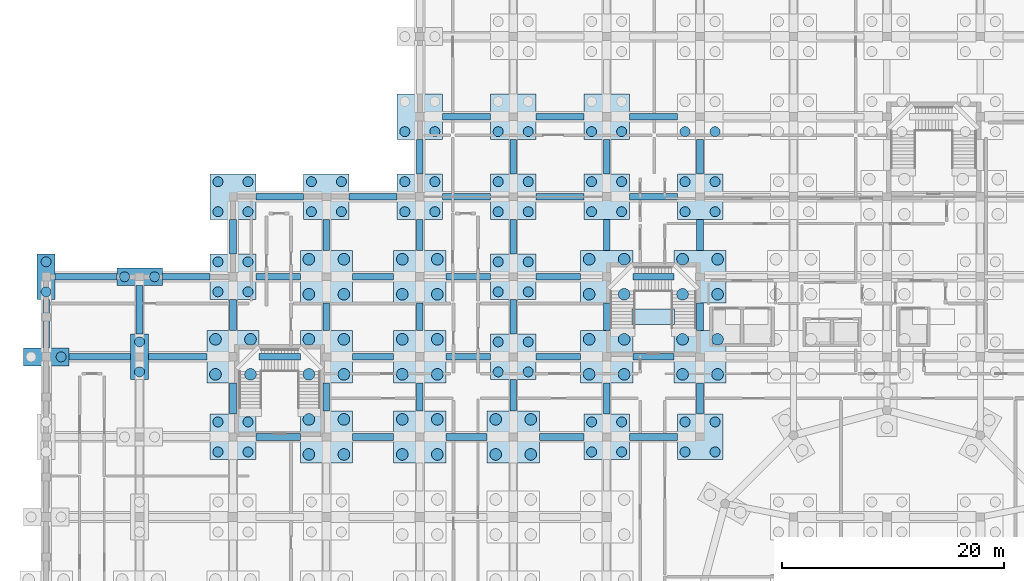
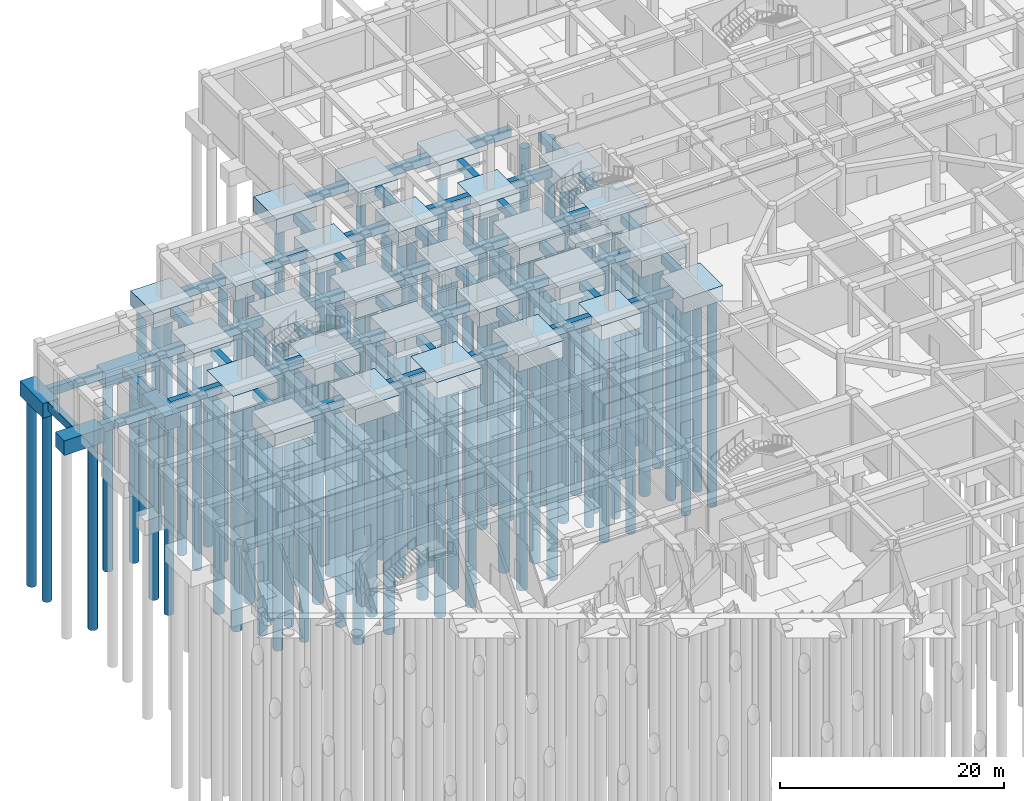
# One storey, part 5 of 32: 111 piles, 83 footings.
"""IFC4 building model written with IfcOpenShell, lengths in metres."""

from ifc_helpers import new_model, si_unit, derived_unit, direction, frame, origin, origin_2d, place, context, subcontext, project, spatial, rectangle, circle, extrude, material, material_profile, profile_set, type_object, element, save


model = new_model("IFC4")

# Units and contexts
model_context = context("Model", 3, precision=1e-05, world=origin(), true_north=direction((0.0, 1.0)))
body_context = subcontext(model_context, "Body", "Model", "MODEL_VIEW")
ifc_project = project(units=[si_unit("LENGTHUNIT", "METRE"), si_unit("AREAUNIT", "SQUARE_METRE"), si_unit("VOLUMEUNIT", "CUBIC_METRE"), si_unit("PLANEANGLEUNIT", "RADIAN"), si_unit("MASSUNIT", "GRAM", prefix="KILO"), derived_unit("THERMALTRANSMITTANCEUNIT", [(si_unit("POWERUNIT", "WATT"), 1), (si_unit("LENGTHUNIT", "METRE"), -2), (si_unit("THERMODYNAMICTEMPERATUREUNIT", "KELVIN"), -1)])], contexts=[model_context])

# Site, building, storey
site_placement = place(None, origin())
site = spatial("IfcSite", under=ifc_project, at=site_placement, CompositionType="ELEMENT")
building_placement = place(site_placement, origin())
building = spatial("IfcBuilding", under=site, at=building_placement, Name="Veybourne Emporium", CompositionType="ELEMENT")
storey_placement = place(building_placement, frame((0.0, 0.0, -5.39990234375)))
storey = spatial("IfcBuildingStorey", under=building, at=storey_placement, Name="B1", CompositionType="ELEMENT", Elevation=-5.39990234375)

# Footings
ifc_material = material(Name="Concrete C35/45", Category="concrete")
footing_type_1 = type_object("IfcFootingType", Name="GroundBeam_GB-2500", PredefinedType="FOOTING_BEAM", material=ifc_material)
for number, where, z_axis, x_axis, name in (
    (1, (25.199951171875, 68.39990234375, -0.900146484375), (0.0, 0.0, 1.0), (0.0, 1.0, 0.0), "Ground tie beam GB-2500"),
    (2, (25.199951171875, 75.60009765625, -0.900146484375), (0.0, 0.0, 1.0), (0.0, 1.0, 0.0), "Ground tie beam GB-2500"),
    (3, (33.60009765625, 68.39990234375, -0.900146484375), (0.0, 0.0, 1.0), (0.0, 1.0, 0.0), "Ground tie beam GB-2500"),
    (4, (33.60009765625, 75.60009765625, -0.900146484375), (0.0, 0.0, 1.0), (0.0, 1.0, 0.0), "Ground tie beam GB-2500"),
    (5, (50.39990234375, 75.60009765625, -0.900146484375), (0.0, 0.0, 1.0), (0.0, 1.0, 0.0), "Ground tie beam GB-2500"),
    (6, (58.800048828125, 75.60009765625, -0.900146484375), (0.0, 0.0, 1.0), (0.0, 1.0, 0.0), "Ground tie beam GB-2500"),
):
    element("IfcFooting", number, at=place(storey_placement, frame(where, z_axis=z_axis, x_axis=x_axis)), inside=storey, type_object=footing_type_1, Name=name, PredefinedType="FOOTING_BEAM", context=body_context, shape_type="SweptSolid", body=[
        extrude(rectangle(XDim=2.5, YDim=0.60009765625, at=origin_2d()), origin(), (0.0, 0.0, 1.0), 0.89990234375),
    ])
footing_type_2 = type_object("IfcFootingType", Name="GroundBeam_GB-2800", PredefinedType="FOOTING_BEAM", material=ifc_material)
for number, where, z_axis, x_axis, name in (
    (7, (16.800048828125, 68.25, -0.900146484375), (0.0, 0.0, 1.0), (0.0, 1.0, 0.0), "Ground tie beam GB-2800"),
    (8, (16.800048828125, 75.75, -0.900146484375), (0.0, 0.0, 1.0), (0.0, 1.0, 0.0), "Ground tie beam GB-2800"),
    (9, (25.199951171875, 82.949951171875, -0.900146484375), (0.0, 0.0, 1.0), (0.0, 1.0, 0.0), "Ground tie beam GB-2800"),
    (10, (33.60009765625, 82.949951171875, -0.900146484375), (0.0, 0.0, 1.0), (0.0, 1.0, 0.0), "Ground tie beam GB-2800"),
    (11, (42.0, 68.550048828125, -0.900146484375), (0.0, 0.0, 1.0), (0.0, 1.0, 0.0), "Ground tie beam GB-2800"),
    (12, (50.39990234375, 68.25, -0.900146484375), (0.0, 0.0, 1.0), (0.0, 1.0, 0.0), "Ground tie beam GB-2800"),
    (13, (50.39990234375, 82.949951171875, -0.900146484375), (0.0, 0.0, 1.0), (0.0, 1.0, 0.0), "Ground tie beam GB-2800"),
    (14, (58.800048828125, 68.25, -0.900146484375), (0.0, 0.0, 1.0), (0.0, 1.0, 0.0), "Ground tie beam GB-2800"),
    (15, (58.800048828125, 82.949951171875, -0.900146484375), (0.0, 0.0, 1.0), (0.0, 1.0, 0.0), "Ground tie beam GB-2800"),
):
    element("IfcFooting", number, at=place(storey_placement, frame(where, z_axis=z_axis, x_axis=x_axis)), inside=storey, type_object=footing_type_2, Name=name, PredefinedType="FOOTING_BEAM", context=body_context, shape_type="SweptSolid", body=[
        extrude(rectangle(XDim=2.800048828125, YDim=0.60009765625, at=origin_2d()), origin(), (0.0, 0.0, 1.0), 0.89990234375),
    ])
footing_type_3 = type_object("IfcFootingType", Name="GroundBeam_GB-3100", PredefinedType="FOOTING_BEAM", material=ifc_material)
for number, where, z_axis, x_axis, name in (
    (16, (16.800048828125, 82.800048828125, -0.900146484375), (0.0, 0.0, 1.0), (0.0, 1.0, 0.0), "Ground tie beam GB-3100"),
    (17, (33.60009765625, 90.0, -0.900146484375), (0.0, 0.0, 1.0), (0.0, 1.0, 0.0), "Ground tie beam GB-3100"),
    (18, (42.0, 75.60009765625, -0.900146484375), (0.0, 0.0, 1.0), (0.0, 1.0, 0.0), "Ground tie beam GB-3100"),
    (19, (42.0, 82.800048828125, -0.900146484375), (0.0, 0.0, 1.0), (0.0, 1.0, 0.0), "Ground tie beam GB-3100"),
    (20, (42.0, 90.0, -0.900146484375), (0.0, 0.0, 1.0), (0.0, 1.0, 0.0), "Ground tie beam GB-3100"),
    (21, (50.39990234375, 90.0, -0.900146484375), (0.0, 0.0, 1.0), (0.0, 1.0, 0.0), "Ground tie beam GB-3100"),
    (22, (58.800048828125, 90.0, -0.900146484375), (0.0, 0.0, 1.0), (0.0, 1.0, 0.0), "Ground tie beam GB-3100"),
):
    element("IfcFooting", number, at=place(storey_placement, frame(where, z_axis=z_axis, x_axis=x_axis)), inside=storey, type_object=footing_type_3, Name=name, PredefinedType="FOOTING_BEAM", context=body_context, shape_type="SweptSolid", body=[
        extrude(rectangle(XDim=3.10009765625, YDim=0.60009765625, at=origin_2d()), origin(), (0.0, 0.0, 1.0), 0.89990234375),
    ])
footing_type_4 = type_object("IfcFootingType", Name="GroundBeam_GB-3700", PredefinedType="FOOTING_BEAM", material=ifc_material)
for number, where, z_axis, x_axis, name in (
    (23, (21.0, 72.0, -0.900146484375), (0.0, 0.0, 1.0), (1.0, 0.0, 0.0), "Ground tie beam GB-3700"),
    (24, (29.39990234375, 64.800048828125, -0.900146484375), (0.0, 0.0, 1.0), (1.0, 0.0, 0.0), "Ground tie beam GB-3700"),
    (25, (29.39990234375, 72.0, -0.900146484375), (0.0, 0.0, 1.0), (1.0, 0.0, 0.0), "Ground tie beam GB-3700"),
    (26, (29.39990234375, 79.199951171875, -0.900146484375), (0.0, 0.0, 1.0), (1.0, 0.0, 0.0), "Ground tie beam GB-3700"),
    (27, (37.800048828125, 64.800048828125, -0.900146484375), (0.0, 0.0, 1.0), (1.0, 0.0, 0.0), "Ground tie beam GB-3700"),
    (28, (54.60009765625, 72.0, -0.900146484375), (0.0, 0.0, 1.0), (1.0, 0.0, 0.0), "Ground tie beam GB-3700"),
    (29, (54.60009765625, 79.199951171875, -0.900146484375), (0.0, 0.0, 1.0), (1.0, 0.0, 0.0), "Ground tie beam GB-3700"),
):
    element("IfcFooting", number, at=place(storey_placement, frame(where, z_axis=z_axis, x_axis=x_axis)), inside=storey, type_object=footing_type_4, Name=name, PredefinedType="FOOTING_BEAM", context=body_context, shape_type="SweptSolid", body=[
        extrude(rectangle(XDim=3.699951171875, YDim=0.60009765625, at=origin_2d()), origin(), (0.0, 0.0, 1.0), 0.89990234375),
    ])
footing_type_5 = type_object("IfcFootingType", Name="GroundBeam_GB-4000", PredefinedType="FOOTING_BEAM", material=ifc_material)
for number, where, z_axis, x_axis, name in (
    (30, (20.85009765625, 64.800048828125, -0.900146484375), (0.0, 0.0, 1.0), (1.0, 0.0, 0.0), "Ground tie beam GB-4000"),
    (31, (20.85009765625, 79.199951171875, -0.900146484375), (0.0, 0.0, 1.0), (1.0, 0.0, 0.0), "Ground tie beam GB-4000"),
    (32, (37.949951171875, 72.0, -0.900146484375), (0.0, 0.0, 1.0), (1.0, 0.0, 0.0), "Ground tie beam GB-4000"),
    (33, (37.949951171875, 79.199951171875, -0.900146484375), (0.0, 0.0, 1.0), (1.0, 0.0, 0.0), "Ground tie beam GB-4000"),
    (34, (46.35009765625, 64.800048828125, -0.900146484375), (0.0, 0.0, 1.0), (1.0, 0.0, 0.0), "Ground tie beam GB-4000"),
    (35, (46.050048828125, 72.0, -0.900146484375), (0.0, 0.0, 1.0), (1.0, 0.0, 0.0), "Ground tie beam GB-4000"),
    (36, (46.050048828125, 79.199951171875, -0.900146484375), (0.0, 0.0, 1.0), (1.0, 0.0, 0.0), "Ground tie beam GB-4000"),
):
    element("IfcFooting", number, at=place(storey_placement, frame(where, z_axis=z_axis, x_axis=x_axis)), inside=storey, type_object=footing_type_5, Name=name, PredefinedType="FOOTING_BEAM", context=body_context, shape_type="SweptSolid", body=[
        extrude(rectangle(XDim=4.0, YDim=0.60009765625, at=origin_2d()), origin(), (0.0, 0.0, 1.0), 0.89990234375),
    ])
footing_type_6 = type_object("IfcFootingType", Name="GroundBeam_GB-4300", PredefinedType="FOOTING_BEAM", material=ifc_material)
for number, where, z_axis, x_axis, name in (
    (37, (12.60009765625, 79.199951171875, -0.900146484375), (0.0, 0.0, 1.0), (1.0, 0.0, 0.0), "Ground tie beam GB-4300"),
    (38, (21.0, 86.39990234375, -0.900146484375), (0.0, 0.0, 1.0), (1.0, 0.0, 0.0), "Ground tie beam GB-4300"),
    (39, (29.39990234375, 86.39990234375, -0.900146484375), (0.0, 0.0, 1.0), (1.0, 0.0, 0.0), "Ground tie beam GB-4300"),
    (40, (37.800048828125, 86.39990234375, -0.900146484375), (0.0, 0.0, 1.0), (1.0, 0.0, 0.0), "Ground tie beam GB-4300"),
    (41, (37.800048828125, 93.60009765625, -0.900146484375), (0.0, 0.0, 1.0), (1.0, 0.0, 0.0), "Ground tie beam GB-4300"),
    (42, (46.199951171875, 86.39990234375, -0.900146484375), (0.0, 0.0, 1.0), (1.0, 0.0, 0.0), "Ground tie beam GB-4300"),
    (43, (46.199951171875, 93.60009765625, -0.900146484375), (0.0, 0.0, 1.0), (1.0, 0.0, 0.0), "Ground tie beam GB-4300"),
    (44, (54.60009765625, 64.800048828125, -0.900146484375), (0.0, 0.0, 1.0), (1.0, 0.0, 0.0), "Ground tie beam GB-4300"),
    (45, (54.60009765625, 86.39990234375, -0.900146484375), (0.0, 0.0, 1.0), (1.0, 0.0, 0.0), "Ground tie beam GB-4300"),
    (46, (54.60009765625, 93.60009765625, -0.900146484375), (0.0, 0.0, 1.0), (1.0, 0.0, 0.0), "Ground tie beam GB-4300"),
):
    element("IfcFooting", number, at=place(storey_placement, frame(where, z_axis=z_axis, x_axis=x_axis)), inside=storey, type_object=footing_type_6, Name=name, PredefinedType="FOOTING_BEAM", context=body_context, shape_type="SweptSolid", body=[
        extrude(rectangle(XDim=4.300048828125, YDim=0.60009765625, at=origin_2d()), origin(), (0.0, 0.0, 1.0), 0.89990234375),
    ])
footing_type_7 = type_object("IfcFootingType", Name="GroundBeam_GB-4350", PredefinedType="FOOTING_BEAM", material=ifc_material)
for number, where, z_axis, x_axis, name in (
    (47, (0.0, 74.97509765625, -0.900146484375), (0.0, 0.0, 1.0), (0.0, 1.0, 0.0), "Ground tie beam GB-4350"),
    (48, (8.39990234375, 76.22509765625, -0.900146484375), (0.0, 0.0, 1.0), (0.0, 1.0, 0.0), "Ground tie beam GB-4350"),
):
    element("IfcFooting", number, at=place(storey_placement, frame(where, z_axis=z_axis, x_axis=x_axis)), inside=storey, type_object=footing_type_7, Name=name, PredefinedType="FOOTING_BEAM", context=body_context, shape_type="SweptSolid", body=[
        extrude(rectangle(XDim=4.35009765625, YDim=0.60009765625, at=origin_2d()), origin(), (0.0, 0.0, 1.0), 0.89990234375),
    ])
footing_type_8 = type_object("IfcFootingType", Name="GroundBeam_GB-5250", PredefinedType="FOOTING_BEAM", material=ifc_material)
footing_1_placement = place(storey_placement, frame((11.824951171875, 72.0, -0.900146484375), z_axis=(0.0, 0.0, 1.0), x_axis=(1.0, 0.0, 0.0)))
element("IfcFooting", 49, at=footing_1_placement, inside=storey, type_object=footing_type_8, Name="Ground tie beam GB-5250", PredefinedType="FOOTING_BEAM", context=body_context, shape_type="SweptSolid", body=[
    extrude(rectangle(XDim=5.25, YDim=0.60009765625, at=origin_2d()), origin(), (0.0, 0.0, 1.0), 0.89990234375),
])
footing_type_9 = type_object("IfcFootingType", Name="GroundBeam_GB-5550", PredefinedType="FOOTING_BEAM", material=ifc_material)
for number, where, z_axis, x_axis, name in (
    (50, (4.824951171875, 72.0, -0.900146484375), (0.0, 0.0, 1.0), (1.0, 0.0, 0.0), "Ground tie beam GB-5550"),
    (51, (3.574951171875, 79.199951171875, -0.900146484375), (0.0, 0.0, 1.0), (1.0, 0.0, 0.0), "Ground tie beam GB-5550"),
):
    element("IfcFooting", number, at=place(storey_placement, frame(where, z_axis=z_axis, x_axis=x_axis)), inside=storey, type_object=footing_type_9, Name=name, PredefinedType="FOOTING_BEAM", context=body_context, shape_type="SweptSolid", body=[
        extrude(rectangle(XDim=5.550048828125, YDim=0.60009765625, at=origin_2d()), origin(), (0.0, 0.0, 1.0), 0.89990234375),
    ])
footing_type_10 = type_object("IfcFootingType", Name="PileCap_PC-02", PredefinedType="PILE_CAP", material=ifc_material)
for number, where, z_axis, x_axis, name in (
    (52, (0.0, 72.0, -1.60009765625), (0.0, 0.0, 1.0), (1.0, 0.0, 0.0), "Pile cap PC-02 at grid (0,10)"),
    (53, (8.39990234375, 79.199951171875, -1.60009765625), (0.0, 0.0, 1.0), (1.0, 0.0, 0.0), "Pile cap PC-02 at grid (1,11)"),
):
    element("IfcFooting", number, at=place(storey_placement, frame(where, z_axis=z_axis, x_axis=x_axis)), inside=storey, type_object=footing_type_10, Name=name, PredefinedType="PILE_CAP", context=body_context, shape_type="SweptSolid", body=[
        extrude(rectangle(XDim=4.10009765625, YDim=1.60009765625, at=origin_2d()), origin(), (0.0, 0.0, 1.0), 1.60009765625),
    ])
footing_type_11 = type_object("IfcFootingType", Name="PileCap_PC-03", PredefinedType="PILE_CAP", material=ifc_material)
for number, where, z_axis, x_axis, name in (
    (54, (0.0, 79.199951171875, -1.60009765625), (0.0, 0.0, 1.0), (1.0, 0.0, 0.0), "Pile cap PC-03 at grid (0,11)"),
    (55, (8.39990234375, 72.0, -1.60009765625), (0.0, 0.0, 1.0), (1.0, 0.0, 0.0), "Pile cap PC-03 at grid (1,10)"),
):
    element("IfcFooting", number, at=place(storey_placement, frame(where, z_axis=z_axis, x_axis=x_axis)), inside=storey, type_object=footing_type_11, Name=name, PredefinedType="PILE_CAP", context=body_context, shape_type="SweptSolid", body=[
        extrude(rectangle(XDim=1.60009765625, YDim=4.10009765625, at=origin_2d()), origin(), (0.0, 0.0, 1.0), 1.60009765625),
    ])
footing_type_12 = type_object("IfcFootingType", Name="PileCap_PC-04", PredefinedType="PILE_CAP", material=ifc_material)
for number, where, z_axis, x_axis, name in (
    (56, (16.800048828125, 64.800048828125, -1.60009765625), (0.0, 0.0, 1.0), (1.0, 0.0, 0.0), "Pile cap PC-04 at grid (2,9)"),
    (57, (16.800048828125, 79.199951171875, -1.60009765625), (0.0, 0.0, 1.0), (1.0, 0.0, 0.0), "Pile cap PC-04 at grid (2,11)"),
    (58, (16.800048828125, 86.39990234375, -1.60009765625), (0.0, 0.0, 1.0), (1.0, 0.0, 0.0), "Pile cap PC-04 at grid (2,12)"),
    (59, (25.199951171875, 86.39990234375, -1.60009765625), (0.0, 0.0, 1.0), (1.0, 0.0, 0.0), "Pile cap PC-04 at grid (3,12)"),
    (60, (33.60009765625, 86.39990234375, -1.60009765625), (0.0, 0.0, 1.0), (1.0, 0.0, 0.0), "Pile cap PC-04 at grid (4,12)"),
    (61, (33.60009765625, 93.60009765625, -1.60009765625), (0.0, 0.0, 1.0), (1.0, 0.0, 0.0), "Pile cap PC-04 at grid (4,13)"),
    (62, (42.0, 72.0, -1.60009765625), (0.0, 0.0, 1.0), (1.0, 0.0, 0.0), "Pile cap PC-04 at grid (5,10)"),
    (63, (42.0, 79.199951171875, -1.60009765625), (0.0, 0.0, 1.0), (1.0, 0.0, 0.0), "Pile cap PC-04 at grid (5,11)"),
    (64, (42.0, 86.39990234375, -1.60009765625), (0.0, 0.0, 1.0), (1.0, 0.0, 0.0), "Pile cap PC-04 at grid (5,12)"),
    (65, (42.0, 93.60009765625, -1.60009765625), (0.0, 0.0, 1.0), (1.0, 0.0, 0.0), "Pile cap PC-04 at grid (5,13)"),
    (66, (50.39990234375, 64.800048828125, -1.60009765625), (0.0, 0.0, 1.0), (1.0, 0.0, 0.0), "Pile cap PC-04 at grid (6,9)"),
    (67, (50.39990234375, 86.39990234375, -1.60009765625), (0.0, 0.0, 1.0), (1.0, 0.0, 0.0), "Pile cap PC-04 at grid (6,12)"),
    (68, (50.39990234375, 93.60009765625, -1.60009765625), (0.0, 0.0, 1.0), (1.0, 0.0, 0.0), "Pile cap PC-04 at grid (6,13)"),
    (69, (58.800048828125, 64.800048828125, -1.60009765625), (0.0, 0.0, 1.0), (1.0, 0.0, 0.0), "Pile cap PC-04 at grid (7,9)"),
    (70, (58.800048828125, 86.39990234375, -1.60009765625), (0.0, 0.0, 1.0), (1.0, 0.0, 0.0), "Pile cap PC-04 at grid (7,12)"),
):
    element("IfcFooting", number, at=place(storey_placement, frame(where, z_axis=z_axis, x_axis=x_axis)), inside=storey, type_object=footing_type_12, Name=name, PredefinedType="PILE_CAP", context=body_context, shape_type="SweptSolid", body=[
        extrude(rectangle(XDim=4.10009765625, YDim=4.10009765625, at=origin_2d()), origin(), (0.0, 0.0, 1.0), 1.60009765625),
    ])
footing_type_13 = type_object("IfcFootingType", Name="PileCap_PC-05", PredefinedType="PILE_CAP", material=ifc_material)
for number, where, z_axis, x_axis, name in (
    (71, (16.800048828125, 72.0, -1.80029296875), (0.0, 0.0, 1.0), (1.0, 0.0, 0.0), "Pile cap PC-05 at grid (2,10)"),
    (72, (25.199951171875, 64.800048828125, -1.80029296875), (0.0, 0.0, 1.0), (1.0, 0.0, 0.0), "Pile cap PC-05 at grid (3,9)"),
    (73, (25.199951171875, 72.0, -1.80029296875), (0.0, 0.0, 1.0), (1.0, 0.0, 0.0), "Pile cap PC-05 at grid (3,10)"),
    (74, (25.199951171875, 79.199951171875, -1.80029296875), (0.0, 0.0, 1.0), (1.0, 0.0, 0.0), "Pile cap PC-05 at grid (3,11)"),
    (75, (33.60009765625, 64.800048828125, -1.80029296875), (0.0, 0.0, 1.0), (1.0, 0.0, 0.0), "Pile cap PC-05 at grid (4,9)"),
    (76, (33.60009765625, 72.0, -1.80029296875), (0.0, 0.0, 1.0), (1.0, 0.0, 0.0), "Pile cap PC-05 at grid (4,10)"),
    (77, (33.60009765625, 79.199951171875, -1.80029296875), (0.0, 0.0, 1.0), (1.0, 0.0, 0.0), "Pile cap PC-05 at grid (4,11)"),
    (78, (42.0, 64.800048828125, -1.80029296875), (0.0, 0.0, 1.0), (1.0, 0.0, 0.0), "Pile cap PC-05 at grid (5,9)"),
    (79, (50.39990234375, 72.0, -1.80029296875), (0.0, 0.0, 1.0), (1.0, 0.0, 0.0), "Pile cap PC-05 at grid (6,10)"),
    (80, (50.39990234375, 79.199951171875, -1.80029296875), (0.0, 0.0, 1.0), (1.0, 0.0, 0.0), "Pile cap PC-05 at grid (6,11)"),
    (81, (58.800048828125, 72.0, -1.80029296875), (0.0, 0.0, 1.0), (1.0, 0.0, 0.0), "Pile cap PC-05 at grid (7,10)"),
    (82, (58.800048828125, 79.199951171875, -1.80029296875), (0.0, 0.0, 1.0), (1.0, 0.0, 0.0), "Pile cap PC-05 at grid (7,11)"),
):
    element("IfcFooting", number, at=place(storey_placement, frame(where, z_axis=z_axis, x_axis=x_axis)), inside=storey, type_object=footing_type_13, Name=name, PredefinedType="PILE_CAP", context=body_context, shape_type="SweptSolid", body=[
        extrude(rectangle(XDim=4.699951171875, YDim=4.699951171875, at=origin_2d()), origin(), (0.0, 0.0, 1.0), 1.800048828125),
    ])

# Piles
ifc_material_profile_1 = material_profile(ifc_material, circle(Radius=0.449951171875, at=origin_2d()), Name="BORED PILE 900")
ifc_profile_set_1 = profile_set([ifc_material_profile_1], Name="Concrete C35/45")
pile_type_1 = type_object("IfcPileType", Name="Pile_P-01", PredefinedType="BORED", material=ifc_profile_set_1)
for number, where, z_axis, x_axis, name in (
    (83, (15.449951171875, 63.449951171875, -1.4501953125), (0.0, 0.0, -1.0), (1.0, 0.0, 0.0), "Bored pile P-01-101"),
    (84, (18.14990234375, 63.449951171875, -1.4501953125), (0.0, 0.0, -1.0), (1.0, 0.0, 0.0), "Bored pile P-01-102"),
    (85, (15.449951171875, 66.14990234375, -1.4501953125), (0.0, 0.0, -1.0), (1.0, 0.0, 0.0), "Bored pile P-01-103"),
    (86, (18.14990234375, 66.14990234375, -1.4501953125), (0.0, 0.0, -1.0), (1.0, 0.0, 0.0), "Bored pile P-01-104"),
    (87, (15.449951171875, 77.85009765625, -1.4501953125), (0.0, 0.0, -1.0), (1.0, 0.0, 0.0), "Bored pile P-01-109"),
    (88, (18.14990234375, 77.85009765625, -1.4501953125), (0.0, 0.0, -1.0), (1.0, 0.0, 0.0), "Bored pile P-01-110"),
    (89, (15.449951171875, 80.550048828125, -1.4501953125), (0.0, 0.0, -1.0), (1.0, 0.0, 0.0), "Bored pile P-01-111"),
    (90, (18.14990234375, 80.550048828125, -1.4501953125), (0.0, 0.0, -1.0), (1.0, 0.0, 0.0), "Bored pile P-01-112"),
    (91, (15.449951171875, 85.050048828125, -1.4501953125), (0.0, 0.0, -1.0), (1.0, 0.0, 0.0), "Bored pile P-01-113"),
    (92, (18.14990234375, 85.050048828125, -1.4501953125), (0.0, 0.0, -1.0), (1.0, 0.0, 0.0), "Bored pile P-01-114"),
    (93, (15.449951171875, 87.75, -1.4501953125), (0.0, 0.0, -1.0), (1.0, 0.0, 0.0), "Bored pile P-01-115"),
    (94, (18.14990234375, 87.75, -1.4501953125), (0.0, 0.0, -1.0), (1.0, 0.0, 0.0), "Bored pile P-01-116"),
    (95, (23.85009765625, 85.050048828125, -1.4501953125), (0.0, 0.0, -1.0), (1.0, 0.0, 0.0), "Bored pile P-01-165"),
    (96, (26.550048828125, 85.050048828125, -1.4501953125), (0.0, 0.0, -1.0), (1.0, 0.0, 0.0), "Bored pile P-01-166"),
    (97, (23.85009765625, 87.75, -1.4501953125), (0.0, 0.0, -1.0), (1.0, 0.0, 0.0), "Bored pile P-01-167"),
    (98, (26.550048828125, 87.75, -1.4501953125), (0.0, 0.0, -1.0), (1.0, 0.0, 0.0), "Bored pile P-01-168"),
    (99, (32.25, 85.050048828125, -1.4501953125), (0.0, 0.0, -1.0), (1.0, 0.0, 0.0), "Bored pile P-01-217"),
    (100, (34.949951171875, 85.050048828125, -1.4501953125), (0.0, 0.0, -1.0), (1.0, 0.0, 0.0), "Bored pile P-01-218"),
    (101, (32.25, 87.75, -1.4501953125), (0.0, 0.0, -1.0), (1.0, 0.0, 0.0), "Bored pile P-01-219"),
    (102, (34.949951171875, 87.75, -1.4501953125), (0.0, 0.0, -1.0), (1.0, 0.0, 0.0), "Bored pile P-01-220"),
    (103, (32.25, 92.25, -1.4501953125), (0.0, 0.0, -1.0), (1.0, 0.0, 0.0), "Bored pile P-01-221"),
    (104, (34.949951171875, 92.25, -1.4501953125), (0.0, 0.0, -1.0), (1.0, 0.0, 0.0), "Bored pile P-01-222"),
    (105, (40.64990234375, 70.64990234375, -1.4501953125), (0.0, 0.0, -1.0), (1.0, 0.0, 0.0), "Bored pile P-01-269"),
    (106, (43.35009765625, 70.64990234375, -1.4501953125), (0.0, 0.0, -1.0), (1.0, 0.0, 0.0), "Bored pile P-01-270"),
    (107, (40.64990234375, 73.35009765625, -1.4501953125), (0.0, 0.0, -1.0), (1.0, 0.0, 0.0), "Bored pile P-01-271"),
    (108, (43.35009765625, 73.35009765625, -1.4501953125), (0.0, 0.0, -1.0), (1.0, 0.0, 0.0), "Bored pile P-01-272"),
    (109, (40.64990234375, 77.85009765625, -1.4501953125), (0.0, 0.0, -1.0), (1.0, 0.0, 0.0), "Bored pile P-01-273"),
    (110, (43.35009765625, 77.85009765625, -1.4501953125), (0.0, 0.0, -1.0), (1.0, 0.0, 0.0), "Bored pile P-01-274"),
    (111, (40.64990234375, 80.550048828125, -1.4501953125), (0.0, 0.0, -1.0), (1.0, 0.0, 0.0), "Bored pile P-01-275"),
    (112, (43.35009765625, 80.550048828125, -1.4501953125), (0.0, 0.0, -1.0), (1.0, 0.0, 0.0), "Bored pile P-01-276"),
    (113, (40.64990234375, 85.050048828125, -1.4501953125), (0.0, 0.0, -1.0), (1.0, 0.0, 0.0), "Bored pile P-01-277"),
    (114, (43.35009765625, 85.050048828125, -1.4501953125), (0.0, 0.0, -1.0), (1.0, 0.0, 0.0), "Bored pile P-01-278"),
    (115, (40.64990234375, 87.75, -1.4501953125), (0.0, 0.0, -1.0), (1.0, 0.0, 0.0), "Bored pile P-01-279"),
    (116, (43.35009765625, 87.75, -1.4501953125), (0.0, 0.0, -1.0), (1.0, 0.0, 0.0), "Bored pile P-01-280"),
    (117, (40.64990234375, 92.25, -1.4501953125), (0.0, 0.0, -1.0), (1.0, 0.0, 0.0), "Bored pile P-01-281"),
    (118, (43.35009765625, 92.25, -1.4501953125), (0.0, 0.0, -1.0), (1.0, 0.0, 0.0), "Bored pile P-01-282"),
    (119, (49.050048828125, 63.449951171875, -1.4501953125), (0.0, 0.0, -1.0), (1.0, 0.0, 0.0), "Bored pile P-01-327"),
    (120, (51.75, 63.449951171875, -1.4501953125), (0.0, 0.0, -1.0), (1.0, 0.0, 0.0), "Bored pile P-01-328"),
    (121, (49.050048828125, 66.14990234375, -1.4501953125), (0.0, 0.0, -1.0), (1.0, 0.0, 0.0), "Bored pile P-01-329"),
    (122, (51.75, 66.14990234375, -1.4501953125), (0.0, 0.0, -1.0), (1.0, 0.0, 0.0), "Bored pile P-01-330"),
    (123, (49.050048828125, 85.050048828125, -1.4501953125), (0.0, 0.0, -1.0), (1.0, 0.0, 0.0), "Bored pile P-01-339"),
    (124, (51.75, 85.050048828125, -1.4501953125), (0.0, 0.0, -1.0), (1.0, 0.0, 0.0), "Bored pile P-01-340"),
    (125, (49.050048828125, 87.75, -1.4501953125), (0.0, 0.0, -1.0), (1.0, 0.0, 0.0), "Bored pile P-01-341"),
    (126, (51.75, 87.75, -1.4501953125), (0.0, 0.0, -1.0), (1.0, 0.0, 0.0), "Bored pile P-01-342"),
    (127, (49.050048828125, 92.25, -1.4501953125), (0.0, 0.0, -1.0), (1.0, 0.0, 0.0), "Bored pile P-01-343"),
    (128, (51.75, 92.25, -1.4501953125), (0.0, 0.0, -1.0), (1.0, 0.0, 0.0), "Bored pile P-01-344"),
    (129, (57.449951171875, 63.449951171875, -1.4501953125), (0.0, 0.0, -1.0), (1.0, 0.0, 0.0), "Bored pile P-01-371"),
    (130, (60.14990234375, 63.449951171875, -1.4501953125), (0.0, 0.0, -1.0), (1.0, 0.0, 0.0), "Bored pile P-01-372"),
    (131, (57.449951171875, 66.14990234375, -1.4501953125), (0.0, 0.0, -1.0), (1.0, 0.0, 0.0), "Bored pile P-01-373"),
    (132, (60.14990234375, 66.14990234375, -1.4501953125), (0.0, 0.0, -1.0), (1.0, 0.0, 0.0), "Bored pile P-01-374"),
    (133, (57.449951171875, 85.050048828125, -1.4501953125), (0.0, 0.0, -1.0), (1.0, 0.0, 0.0), "Bored pile P-01-383"),
    (134, (60.14990234375, 85.050048828125, -1.4501953125), (0.0, 0.0, -1.0), (1.0, 0.0, 0.0), "Bored pile P-01-384"),
    (135, (57.449951171875, 87.75, -1.4501953125), (0.0, 0.0, -1.0), (1.0, 0.0, 0.0), "Bored pile P-01-385"),
    (136, (60.14990234375, 87.75, -1.4501953125), (0.0, 0.0, -1.0), (1.0, 0.0, 0.0), "Bored pile P-01-386"),
    (137, (57.449951171875, 92.25, -1.4501953125), (0.0, 0.0, -1.0), (1.0, 0.0, 0.0), "Bored pile P-01-387"),
    (138, (60.14990234375, 92.25, -1.4501953125), (0.0, 0.0, -1.0), (1.0, 0.0, 0.0), "Bored pile P-01-388"),
):
    element("IfcPile", number, at=place(storey_placement, frame(where, z_axis=z_axis, x_axis=x_axis)), inside=storey, type_object=pile_type_1, Name=name, PredefinedType="BORED", context=body_context, shape_type="SweptSolid", body=[
        extrude(circle(Radius=0.449951171875, at=origin_2d()), origin(), (0.0, 0.0, 1.0), 22.550048828125),
    ])
ifc_material_profile_2 = material_profile(ifc_material, circle(Radius=0.449951171875, at=origin_2d()), Name="BORED PILE 900")
ifc_profile_set_2 = profile_set([ifc_material_profile_2], Name="Concrete C35/45")
pile_type_2 = type_object("IfcPileType", Name="Pile_P-03", PredefinedType="BORED", material=ifc_profile_set_2)
for number, where, z_axis, x_axis, name in (
    (139, (1.35009765625, 72.0, -1.4501953125), (0.0, 0.0, -1.0), (1.0, 0.0, 0.0), "Bored pile P-03-030"),
    (140, (0.0, 77.85009765625, -1.4501953125), (0.0, 0.0, -1.0), (1.0, 0.0, 0.0), "Bored pile P-03-031"),
    (141, (0.0, 80.550048828125, -1.4501953125), (0.0, 0.0, -1.0), (1.0, 0.0, 0.0), "Bored pile P-03-032"),
    (142, (8.39990234375, 70.64990234375, -1.4501953125), (0.0, 0.0, -1.0), (1.0, 0.0, 0.0), "Bored pile P-03-061"),
    (143, (8.39990234375, 73.35009765625, -1.4501953125), (0.0, 0.0, -1.0), (1.0, 0.0, 0.0), "Bored pile P-03-062"),
    (144, (7.050048828125, 79.199951171875, -1.4501953125), (0.0, 0.0, -1.0), (1.0, 0.0, 0.0), "Bored pile P-03-063"),
    (145, (9.75, 79.199951171875, -1.4501953125), (0.0, 0.0, -1.0), (1.0, 0.0, 0.0), "Bored pile P-03-064"),
):
    element("IfcPile", number, at=place(storey_placement, frame(where, z_axis=z_axis, x_axis=x_axis)), inside=storey, type_object=pile_type_2, Name=name, PredefinedType="BORED", context=body_context, shape_type="SweptSolid", body=[
        extrude(circle(Radius=0.449951171875, at=origin_2d()), origin(), (0.0, 0.0, 1.0), 20.550048828125),
    ])
ifc_material_profile_3 = material_profile(ifc_material, circle(Radius=0.52490234375, at=origin_2d()), Name="BORED PILE 1050")
ifc_profile_set_3 = profile_set([ifc_material_profile_3], Name="Concrete C35/45")
pile_type_3 = type_object("IfcPileType", Name="Pile_P-04", PredefinedType="BORED", material=ifc_profile_set_3)
for number, where, z_axis, x_axis, name in (
    (146, (15.22509765625, 70.425048828125, -1.650146484375), (0.0, 0.0, -1.0), (1.0, 0.0, 0.0), "Bored pile P-04-105"),
    (147, (18.375, 70.425048828125, -1.650146484375), (0.0, 0.0, -1.0), (1.0, 0.0, 0.0), "Bored pile P-04-106"),
    (148, (15.22509765625, 73.574951171875, -1.650146484375), (0.0, 0.0, -1.0), (1.0, 0.0, 0.0), "Bored pile P-04-107"),
    (149, (18.375, 73.574951171875, -1.650146484375), (0.0, 0.0, -1.0), (1.0, 0.0, 0.0), "Bored pile P-04-108"),
    (150, (23.625, 63.22509765625, -1.650146484375), (0.0, 0.0, -1.0), (1.0, 0.0, 0.0), "Bored pile P-04-153"),
    (151, (26.77490234375, 63.22509765625, -1.650146484375), (0.0, 0.0, -1.0), (1.0, 0.0, 0.0), "Bored pile P-04-154"),
    (152, (23.625, 66.375, -1.650146484375), (0.0, 0.0, -1.0), (1.0, 0.0, 0.0), "Bored pile P-04-155"),
    (153, (26.77490234375, 66.375, -1.650146484375), (0.0, 0.0, -1.0), (1.0, 0.0, 0.0), "Bored pile P-04-156"),
    (154, (23.625, 70.425048828125, -1.650146484375), (0.0, 0.0, -1.0), (1.0, 0.0, 0.0), "Bored pile P-04-157"),
    (155, (26.77490234375, 70.425048828125, -1.650146484375), (0.0, 0.0, -1.0), (1.0, 0.0, 0.0), "Bored pile P-04-158"),
    (156, (23.625, 73.574951171875, -1.650146484375), (0.0, 0.0, -1.0), (1.0, 0.0, 0.0), "Bored pile P-04-159"),
    (157, (26.77490234375, 73.574951171875, -1.650146484375), (0.0, 0.0, -1.0), (1.0, 0.0, 0.0), "Bored pile P-04-160"),
    (158, (23.625, 77.625, -1.650146484375), (0.0, 0.0, -1.0), (1.0, 0.0, 0.0), "Bored pile P-04-161"),
    (159, (26.77490234375, 77.625, -1.650146484375), (0.0, 0.0, -1.0), (1.0, 0.0, 0.0), "Bored pile P-04-162"),
    (160, (23.625, 80.77490234375, -1.650146484375), (0.0, 0.0, -1.0), (1.0, 0.0, 0.0), "Bored pile P-04-163"),
    (161, (26.77490234375, 80.77490234375, -1.650146484375), (0.0, 0.0, -1.0), (1.0, 0.0, 0.0), "Bored pile P-04-164"),
    (162, (32.02490234375, 63.22509765625, -1.650146484375), (0.0, 0.0, -1.0), (1.0, 0.0, 0.0), "Bored pile P-04-205"),
    (163, (35.175048828125, 63.22509765625, -1.650146484375), (0.0, 0.0, -1.0), (1.0, 0.0, 0.0), "Bored pile P-04-206"),
    (164, (32.02490234375, 66.375, -1.650146484375), (0.0, 0.0, -1.0), (1.0, 0.0, 0.0), "Bored pile P-04-207"),
    (165, (35.175048828125, 66.375, -1.650146484375), (0.0, 0.0, -1.0), (1.0, 0.0, 0.0), "Bored pile P-04-208"),
    (166, (32.02490234375, 70.425048828125, -1.650146484375), (0.0, 0.0, -1.0), (1.0, 0.0, 0.0), "Bored pile P-04-209"),
    (167, (35.175048828125, 70.425048828125, -1.650146484375), (0.0, 0.0, -1.0), (1.0, 0.0, 0.0), "Bored pile P-04-210"),
    (168, (32.02490234375, 73.574951171875, -1.650146484375), (0.0, 0.0, -1.0), (1.0, 0.0, 0.0), "Bored pile P-04-211"),
    (169, (35.175048828125, 73.574951171875, -1.650146484375), (0.0, 0.0, -1.0), (1.0, 0.0, 0.0), "Bored pile P-04-212"),
    (170, (32.02490234375, 77.625, -1.650146484375), (0.0, 0.0, -1.0), (1.0, 0.0, 0.0), "Bored pile P-04-213"),
    (171, (35.175048828125, 77.625, -1.650146484375), (0.0, 0.0, -1.0), (1.0, 0.0, 0.0), "Bored pile P-04-214"),
    (172, (32.02490234375, 80.77490234375, -1.650146484375), (0.0, 0.0, -1.0), (1.0, 0.0, 0.0), "Bored pile P-04-215"),
    (173, (35.175048828125, 80.77490234375, -1.650146484375), (0.0, 0.0, -1.0), (1.0, 0.0, 0.0), "Bored pile P-04-216"),
    (174, (40.425048828125, 63.22509765625, -1.650146484375), (0.0, 0.0, -1.0), (1.0, 0.0, 0.0), "Bored pile P-04-265"),
    (175, (43.574951171875, 63.22509765625, -1.650146484375), (0.0, 0.0, -1.0), (1.0, 0.0, 0.0), "Bored pile P-04-266"),
    (176, (40.425048828125, 66.375, -1.650146484375), (0.0, 0.0, -1.0), (1.0, 0.0, 0.0), "Bored pile P-04-267"),
    (177, (43.574951171875, 66.375, -1.650146484375), (0.0, 0.0, -1.0), (1.0, 0.0, 0.0), "Bored pile P-04-268"),
    (178, (48.824951171875, 70.425048828125, -1.650146484375), (0.0, 0.0, -1.0), (1.0, 0.0, 0.0), "Bored pile P-04-331"),
    (179, (51.97509765625, 70.425048828125, -1.650146484375), (0.0, 0.0, -1.0), (1.0, 0.0, 0.0), "Bored pile P-04-332"),
    (180, (48.824951171875, 73.574951171875, -1.650146484375), (0.0, 0.0, -1.0), (1.0, 0.0, 0.0), "Bored pile P-04-333"),
    (181, (51.97509765625, 73.574951171875, -1.650146484375), (0.0, 0.0, -1.0), (1.0, 0.0, 0.0), "Bored pile P-04-334"),
    (182, (48.824951171875, 77.625, -1.650146484375), (0.0, 0.0, -1.0), (1.0, 0.0, 0.0), "Bored pile P-04-335"),
    (183, (51.97509765625, 77.625, -1.650146484375), (0.0, 0.0, -1.0), (1.0, 0.0, 0.0), "Bored pile P-04-336"),
    (184, (48.824951171875, 80.77490234375, -1.650146484375), (0.0, 0.0, -1.0), (1.0, 0.0, 0.0), "Bored pile P-04-337"),
    (185, (51.97509765625, 80.77490234375, -1.650146484375), (0.0, 0.0, -1.0), (1.0, 0.0, 0.0), "Bored pile P-04-338"),
    (186, (57.22509765625, 70.425048828125, -1.650146484375), (0.0, 0.0, -1.0), (1.0, 0.0, 0.0), "Bored pile P-04-375"),
    (187, (60.375, 70.425048828125, -1.650146484375), (0.0, 0.0, -1.0), (1.0, 0.0, 0.0), "Bored pile P-04-376"),
    (188, (57.22509765625, 73.574951171875, -1.650146484375), (0.0, 0.0, -1.0), (1.0, 0.0, 0.0), "Bored pile P-04-377"),
    (189, (60.375, 73.574951171875, -1.650146484375), (0.0, 0.0, -1.0), (1.0, 0.0, 0.0), "Bored pile P-04-378"),
    (190, (57.22509765625, 77.625, -1.650146484375), (0.0, 0.0, -1.0), (1.0, 0.0, 0.0), "Bored pile P-04-379"),
    (191, (60.375, 77.625, -1.650146484375), (0.0, 0.0, -1.0), (1.0, 0.0, 0.0), "Bored pile P-04-380"),
    (192, (57.22509765625, 80.77490234375, -1.650146484375), (0.0, 0.0, -1.0), (1.0, 0.0, 0.0), "Bored pile P-04-381"),
    (193, (60.375, 80.77490234375, -1.650146484375), (0.0, 0.0, -1.0), (1.0, 0.0, 0.0), "Bored pile P-04-382"),
):
    element("IfcPile", number, at=place(storey_placement, frame(where, z_axis=z_axis, x_axis=x_axis)), inside=storey, type_object=pile_type_3, Name=name, PredefinedType="BORED", context=body_context, shape_type="SweptSolid", body=[
        extrude(circle(Radius=0.52490234375, at=origin_2d()), origin(), (0.0, 0.0, 1.0), 24.35009765625),
    ])

# Footing
footing_type_14 = type_object("IfcFootingType", Name="StripFooting_SF-02", PredefinedType="STRIP_FOOTING", material=ifc_material)
footing_2_placement = place(storey_placement, frame((54.60009765625, 75.60009765625, -0.80029296875), z_axis=(0.0, 0.0, 1.0), x_axis=(1.0, 0.0, 0.0)))
element("IfcFooting", 194, at=footing_2_placement, inside=storey, type_object=footing_type_14, Name="Strip footing SF-02-05", PredefinedType="STRIP_FOOTING", context=body_context, shape_type="SweptSolid", body=[
    extrude(rectangle(XDim=3.800048828125, YDim=1.39990234375, at=origin_2d()), origin(), (0.0, 0.0, 1.0), 0.800048828125),
])

save(model, "model.ifc")
